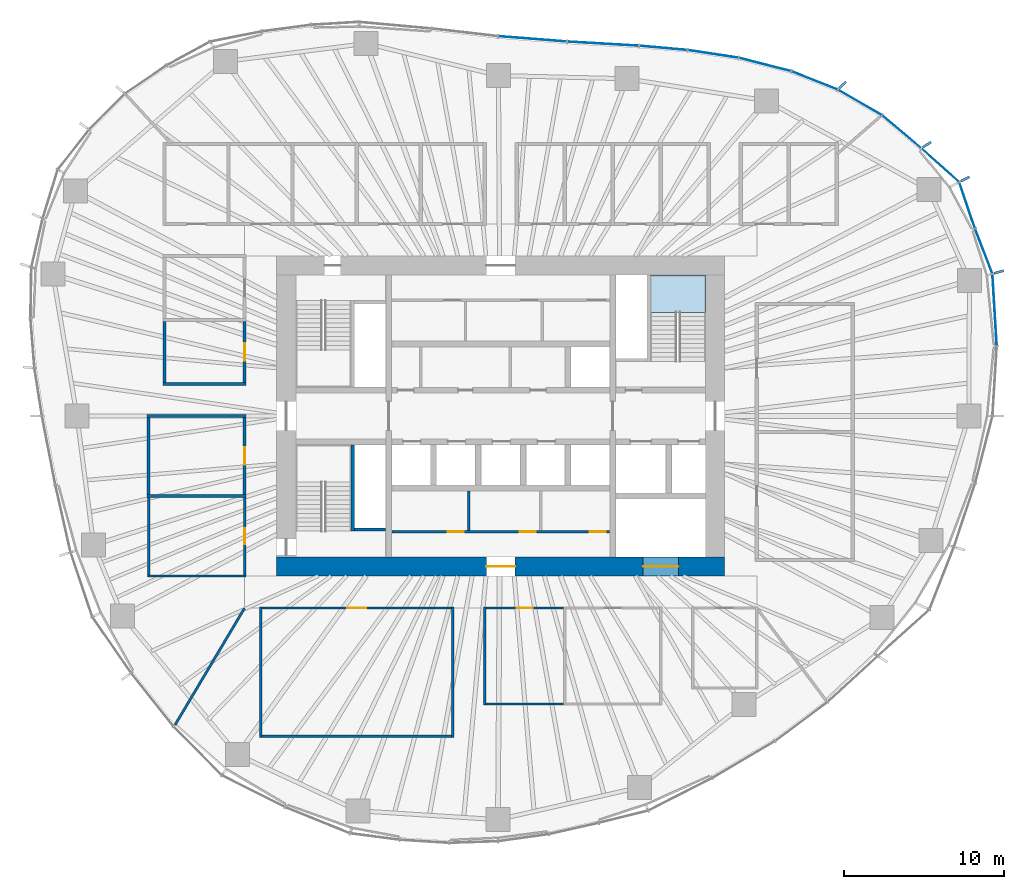
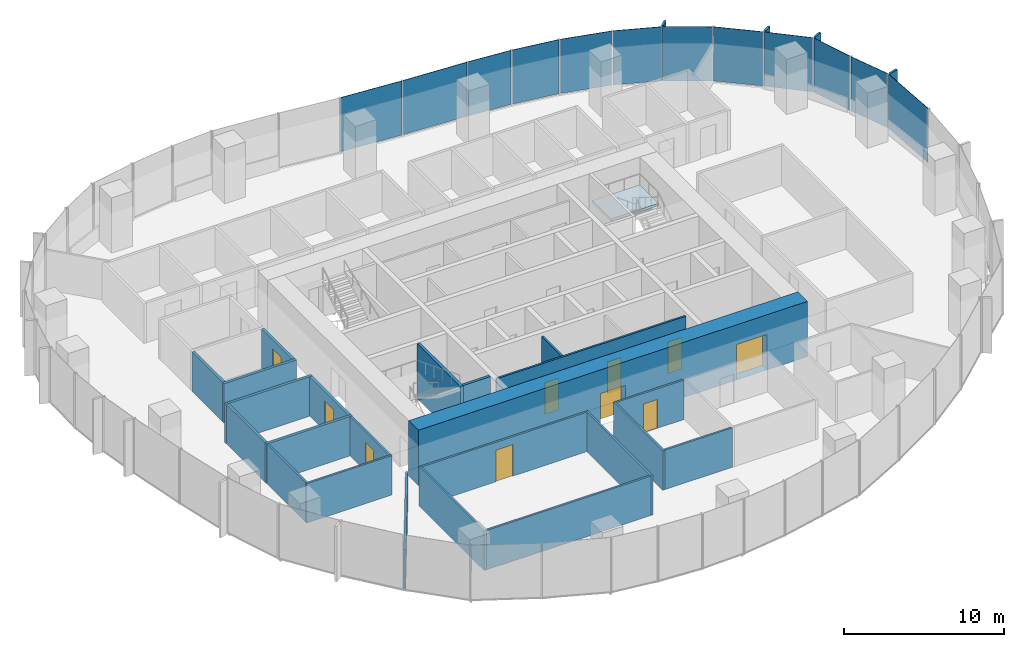
# One storey, part 8 of 18: 23 walls, 16 plates, 10 doors, 1 slab, 10 openings, 6 elements without a shape of their own.
"""IFC4 building model written with IfcOpenShell, lengths in metres."""

from ifc_helpers import new_model, si_unit, direction, frame, frame_2d, origin, origin_2d, place, context, subcontext, project, spatial, polyline, rectangle, outline, extrude, material, layer, layer_set, type_object, element, fill, aggregate, save


model = new_model("IFC4")

# Units and contexts
model_context = context("Model", 3, precision=1e-05, world=origin(), true_north=direction((0.0, 1.0)))
body_context = subcontext(model_context, "Body", "Model", "MODEL_VIEW")
ifc_project = project(units=[si_unit("LENGTHUNIT", "METRE"), si_unit("AREAUNIT", "SQUARE_METRE"), si_unit("VOLUMEUNIT", "CUBIC_METRE"), si_unit("PLANEANGLEUNIT", "RADIAN"), si_unit("MASSUNIT", "GRAM", prefix="KILO")], contexts=[model_context])

# Site, building, storey
site_placement = place(None, origin())
site = spatial("IfcSite", under=ifc_project, at=site_placement, CompositionType="ELEMENT")
building_placement = place(site_placement, origin())
building = spatial("IfcBuilding", under=site, at=building_placement, Name="Ghaith Harvest Tower", CompositionType="ELEMENT")
storey_placement = place(building_placement, frame((0.0, 0.0, 138.60009765625)))
storey = spatial("IfcBuildingStorey", under=building, at=storey_placement, Name="L29", CompositionType="ELEMENT", Elevation=138.60009765625)

# Curtain wall, plate
ifc_material_1 = material(Name="Black anodised aluminium and fritted glass", Category="aluminium")
curtain_wall_type = type_object("IfcCurtainWallType", Name="CW-L CURTAIN WALL", PredefinedType="NOTDEFINED", material=ifc_material_1)
curtain_wall_1_placement = place(storey_placement, origin())
curtain_wall_1 = element("IfcCurtainWall", 1, at=curtain_wall_1_placement, inside=storey, type_object=curtain_wall_type, Name="Curtain wall CW-L bay 01 L29", PredefinedType="NOTDEFINED")
ifc_material_2 = material(Name="Glass, dark solar-control fritted double glazed unit", Category="glass")
ifc_layer_1 = layer(ifc_material_2, 0.031982421875)
ifc_layer_set_1 = layer_set([ifc_layer_1], Name="CW-L VISION PANEL")
plate_type_1 = type_object("IfcPlateType", Name="CW-L VISION PANEL", PredefinedType="CURTAIN_PANEL", material=ifc_layer_set_1)
plate_1_placement = place(storey_placement, frame((30.863037109375, 6.63525390625, 0.079833984375), z_axis=(0.0, 0.0, 1.0), x_axis=(-0.060320650032, 0.998179051663, 0.0)))
plate_1 = element("IfcPlate", 2, at=plate_1_placement, type_object=plate_type_1, Name="CW-L glass unit 2 bay 01 L29", PredefinedType="CURTAIN_PANEL", context=body_context, shape_type="SweptSolid", body=[
    extrude(rectangle(XDim=4.419189453125, YDim=0.031982421875, at=origin_2d()), origin(), (0.0, 0.0, 1.0), 4.1201171875),
])
aggregate(curtain_wall_1, [plate_1])

# Curtain wall, plates
curtain_wall_2_placement = place(storey_placement, origin())
curtain_wall_2 = element("IfcCurtainWall", 3, at=curtain_wall_2_placement, inside=storey, type_object=curtain_wall_type, Name="Curtain wall CW-L bay 02 L29", PredefinedType="NOTDEFINED")
plate_2_placement = place(storey_placement, frame((30.180908203125, 10.29833984375, 0.079833984375), z_axis=(0.0, 0.0, 1.0), x_axis=(-0.359676824997, 0.933076943001, 0.0)))
plate_2 = element("IfcPlate", 4, at=plate_2_placement, type_object=plate_type_1, Name="CW-L glass unit 1 bay 02 L29", PredefinedType="CURTAIN_PANEL", context=body_context, shape_type="SweptSolid", body=[
    extrude(rectangle(XDim=2.95849609375, YDim=0.031982421875, at=origin_2d()), origin(), (0.0, 0.0, 1.0), 4.1201171875),
])
plate_3_placement = place(storey_placement, frame((29.142333984375, 13.163818359375, 0.079833984375), z_axis=(0.0, 0.0, 1.0), x_axis=(-0.321853304376, 0.946789549194, 0.0)))
plate_3 = element("IfcPlate", 5, at=plate_3_placement, type_object=plate_type_1, Name="CW-L glass unit 2 bay 02 L29", PredefinedType="CURTAIN_PANEL", context=body_context, shape_type="SweptSolid", body=[
    extrude(rectangle(XDim=2.978759765625, YDim=0.031982421875, at=origin_2d()), origin(), (0.0, 0.0, 1.0), 4.1201171875),
])
plate_4_placement = place(storey_placement, frame((27.46533203125, 15.668701171875, 0.079833984375), z_axis=(0.0, 0.0, 1.0), x_axis=(-0.746250544556, 0.665665174656, 0.0)))
plate_4 = element("IfcPlate", 6, at=plate_4_placement, type_object=plate_type_1, Name="CW-L glass unit 3 bay 02 L29", PredefinedType="CURTAIN_PANEL", context=body_context, shape_type="SweptSolid", body=[
    extrude(rectangle(XDim=3.094970703125, YDim=0.031982421875, at=origin_2d()), origin(), (0.0, 0.0, 1.0), 4.1201171875),
])
aggregate(curtain_wall_2, [plate_2, plate_3, plate_4])

curtain_wall_3_placement = place(storey_placement, origin())
curtain_wall_3 = element("IfcCurtainWall", 7, at=curtain_wall_3_placement, inside=storey, type_object=curtain_wall_type, Name="Curtain wall CW-L bay 03 L29", PredefinedType="NOTDEFINED")
plate_5_placement = place(storey_placement, frame((25.05126953125, 17.7587890625, 0.079833984375), z_axis=(0.0, 0.0, 1.0), x_axis=(-0.765473064857, 0.643467937801, 0.0)))
plate_5 = element("IfcPlate", 8, at=plate_5_placement, type_object=plate_type_1, Name="CW-L glass unit 1 bay 03 L29", PredefinedType="CURTAIN_PANEL", context=body_context, shape_type="SweptSolid", body=[
    extrude(rectangle(XDim=3.13232421875, YDim=0.031982421875, at=origin_2d()), origin(), (0.0, 0.0, 1.0), 4.1201171875),
])
plate_6_placement = place(storey_placement, frame((22.444091796875, 19.590576171875, 0.079833984375), z_axis=(0.0, 0.0, 1.0), x_axis=(-0.865232087993, 0.501371552751, 0.0)))
plate_6 = element("IfcPlate", 9, at=plate_6_placement, type_object=plate_type_1, Name="CW-L glass unit 2 bay 03 L29", PredefinedType="CURTAIN_PANEL", context=body_context, shape_type="SweptSolid", body=[
    extrude(rectangle(XDim=3.10498046875, YDim=0.031982421875, at=origin_2d()), origin(), (0.0, 0.0, 1.0), 4.1201171875),
])
plate_7_placement = place(storey_placement, frame((19.6142578125, 20.963623046875, 0.079833984375), z_axis=(0.0, 0.0, 1.0), x_axis=(-0.929876534019, 0.367871759558, 0.0)))
plate_7 = element("IfcPlate", 10, at=plate_7_placement, type_object=plate_type_1, Name="CW-L glass unit 3 bay 03 L29", PredefinedType="CURTAIN_PANEL", context=body_context, shape_type="SweptSolid", body=[
    extrude(rectangle(XDim=3.042724609375, YDim=0.031982421875, at=origin_2d()), origin(), (0.0, 0.0, 1.0), 4.1201171875),
])
aggregate(curtain_wall_3, [plate_5, plate_6, plate_7])

curtain_wall_4_placement = place(storey_placement, origin())
curtain_wall_4 = element("IfcCurtainWall", 11, at=curtain_wall_4_placement, inside=storey, type_object=curtain_wall_type, Name="Curtain wall CW-L bay 04 L29", PredefinedType="NOTDEFINED")
plate_8_placement = place(storey_placement, frame((16.513427734375, 21.958740234375, 0.079833984375), z_axis=(0.0, 0.0, 1.0), x_axis=(-0.96893110987, 0.247330758955, 0.0)))
plate_8 = element("IfcPlate", 12, at=plate_8_placement, type_object=plate_type_1, Name="CW-L glass unit 1 bay 04 L29", PredefinedType="CURTAIN_PANEL", context=body_context, shape_type="SweptSolid", body=[
    extrude(rectangle(XDim=3.3232421875, YDim=0.031982421875, at=origin_2d()), origin(), (0.0, 0.0, 1.0), 4.1201171875),
])
plate_9_placement = place(storey_placement, frame((13.2685546875, 22.621826171875, 0.079833984375), z_axis=(0.0, 0.0, 1.0), x_axis=(-0.988678736369, 0.150047846542, 0.0)))
plate_9 = element("IfcPlate", 13, at=plate_9_placement, type_object=plate_type_1, Name="CW-L glass unit 2 bay 04 L29", PredefinedType="CURTAIN_PANEL", context=body_context, shape_type="SweptSolid", body=[
    extrude(rectangle(XDim=3.14892578125, YDim=0.031982421875, at=origin_2d()), origin(), (0.0, 0.0, 1.0), 4.1201171875),
])
plate_10_placement = place(storey_placement, frame((10.15966796875, 22.9970703125, 0.079833984375), z_axis=(0.0, 0.0, 1.0), x_axis=(-0.996166190972, 0.087480969151, 0.0)))
plate_10 = element("IfcPlate", 14, at=plate_10_placement, type_object=plate_type_1, Name="CW-L glass unit 3 bay 04 L29", PredefinedType="CURTAIN_PANEL", context=body_context, shape_type="SweptSolid", body=[
    extrude(rectangle(XDim=2.957275390625, YDim=0.031982421875, at=origin_2d()), origin(), (0.0, 0.0, 1.0), 4.1201171875),
])
aggregate(curtain_wall_4, [plate_8, plate_9, plate_10])

curtain_wall_5_placement = place(storey_placement, origin())
curtain_wall_5 = element("IfcCurtainWall", 15, at=curtain_wall_5_placement, inside=storey, type_object=curtain_wall_type, Name="Curtain wall CW-L bay 05 L29", PredefinedType="NOTDEFINED")
plate_11_placement = place(storey_placement, frame((6.396728515625, 23.260498046875, 0.079833984375), z_axis=(0.0, 0.0, 1.0), x_axis=(-0.998320798751, 0.05792739233, 0.0)))
plate_11 = element("IfcPlate", 16, at=plate_11_placement, type_object=plate_type_1, Name="CW-L glass unit 1 bay 05 L29", PredefinedType="CURTAIN_PANEL", context=body_context, shape_type="SweptSolid", body=[
    extrude(rectangle(XDim=4.427734375, YDim=0.031982421875, at=origin_2d()), origin(), (0.0, 0.0, 1.0), 4.1201171875),
])
plate_12_placement = place(storey_placement, frame((1.9921875, 23.560302734375, 0.079833984375), z_axis=(0.0, 0.0, 1.0), x_axis=(-0.996925121312, 0.078360082291, 0.0)))
plate_12 = element("IfcPlate", 17, at=plate_12_placement, type_object=plate_type_1, Name="CW-L glass unit 2 bay 05 L29", PredefinedType="CURTAIN_PANEL", context=body_context, shape_type="SweptSolid", body=[
    extrude(rectangle(XDim=4.242431640625, YDim=0.031982421875, at=origin_2d()), origin(), (0.0, 0.0, 1.0), 4.1201171875),
])
aggregate(curtain_wall_5, [plate_11, plate_12])

# Stair, slab
ifc_material_3 = material(Name="Concrete C40/50, precast", Category="concrete")
stair_type = type_object("IfcStairType", Name="CORE STAIR 24R", PredefinedType="HALF_TURN_STAIR", material=ifc_material_3)
stair_placement = place(storey_placement, origin())
stair = element("IfcStair", 18, at=stair_placement, inside=storey, type_object=stair_type, Name="Stair ST2 L29", PredefinedType="HALF_TURN_STAIR")
ifc_material_4 = material(Name="Concrete C40/50, precast", Category="concrete")
ifc_layer_2 = layer(ifc_material_4, 0.179931640625)
ifc_layer_set_2 = layer_set([ifc_layer_2], Name="STAIR LANDING 180")
slab_type = type_object("IfcSlabType", Name="STAIR LANDING 180", PredefinedType="LANDING", material=ifc_layer_set_2)
slab_placement = place(storey_placement, frame((0.0, 0.0, 1.919921875)))
slab = element("IfcSlab", 19, at=slab_placement, type_object=slab_type, Name="ST2 landing 1", PredefinedType="LANDING", context=body_context, shape_type="SweptSolid", body=[
    extrude(outline(polyline([(12.800048828125, 6.4599609375), (12.800048828125, 8.800048828125), (9.35009765625, 8.800048828125), (9.35009765625, 6.4599609375), (12.800048828125, 6.4599609375)])), origin(), (0.0, 0.0, 1.0), 0.179931640625),
])
aggregate(stair, [slab])

# Plates
ifc_material_5 = material(Name="Glassfibre-reinforced concrete", Category="concrete")
ifc_layer_3 = layer(ifc_material_5, 0.14990234375)
ifc_layer_set_3 = layer_set([ifc_layer_3], Name="SUN-BREAKER FIN 600x150")
plate_type_2 = type_object("IfcPlateType", Name="SUN-BREAKER FIN 600x150", PredefinedType="USERDEFINED", material=ifc_layer_set_3)
for number, where, z_axis, x_axis, name in (
    (20, (31.130859375, 8.99755859375, 0.0), (0.0, 0.0, 1.0), (0.960680349985, 0.277656739792, 0.0), "Sun-breaker fin CW-L 1 bay 02 L29"),
    (21, (29.024169921875, 14.802734375, 0.0), (0.0, 0.0, 1.0), (0.890830752257, 0.454335306611, 0.0), "Sun-breaker fin CW-L 3 bay 02 L29"),
    (22, (26.635009765625, 16.95068359375, 0.0), (0.0, 0.0, 1.0), (0.843643971464, 0.536903016766, 0.0), "Sun-breaker fin CW-L 1 bay 03 L29"),
    (23, (21.367919921875, 20.68115234375, 0.0), (0.0, 0.0, 1.0), (0.7185589652, 0.69546604053, 0.0), "Sun-breaker fin CW-L 3 bay 03 L29"),
):
    element("IfcPlate", number, at=place(storey_placement, frame(where, z_axis=z_axis, x_axis=x_axis)), inside=storey, type_object=plate_type_2, Name=name, ObjectType="SUN-BREAKER FIN", PredefinedType="USERDEFINED", context=body_context, shape_type="SweptSolid", body=[
        extrude(rectangle(XDim=0.60009765625, YDim=0.14990234375, at=origin_2d()), origin(), (0.0, 0.0, 1.0), 4.199951171875),
    ])

# Walls
ifc_material_6 = material(Name="Twin-stud gypsum board, acoustic", Category="gypsum")
ifc_layer_4 = layer(ifc_material_6, 0.199951171875)
ifc_layer_set_4 = layer_set([ifc_layer_4], Name="ACOUSTIC PARTITION 200")
wall_type_1 = type_object("IfcWallType", Name="ACOUSTIC PARTITION 200", PredefinedType="PARTITIONING", material=ifc_layer_set_4)
for number, where, z_axis, x_axis, name in (
    (24, (-15.89990234375, -5.0, 0.0), (0.0, 0.0, 1.0), (-1.0, 0.0, 0.0), "Partition L29 row W6 cross wall 2"),
    (25, (-15.89990234375, 0.0, 0.0), (0.0, 0.0, 1.0), (-1.0, 0.0, 0.0), "Partition L29 row W6 cross wall 3"),
):
    element("IfcWall", number, at=place(storey_placement, frame(where, z_axis=z_axis, x_axis=x_axis)), inside=storey, type_object=wall_type_1, Name=name, PredefinedType="PARTITIONING", context=body_context, shape_type="SweptSolid", body=[
        extrude(rectangle(XDim=6.2001953125, YDim=0.199951171875, at=frame_2d((3.10009765625, 0.0))), origin(), (0.0, 0.0, 1.0), 3.0),
    ])

# Wall, opening, door
wall_1_placement = place(storey_placement, frame((-16.0, -4.89990234375, 0.0), z_axis=(0.0, 0.0, 1.0), x_axis=(0.0, 1.0, 0.0)))
wall_1 = element("IfcWall", 26, at=wall_1_placement, inside=storey, type_object=wall_type_1, Name="Partition L29-16", PredefinedType="PARTITIONING", context=body_context, shape_type="SweptSolid", body=[
    extrude(rectangle(XDim=4.7998046875, YDim=0.199951171875, at=frame_2d((2.39990234375, 0.0))), origin(), (0.0, 0.0, 1.0), 3.0),
])
opening_1_placement = place(wall_1_placement, frame((1.85009765625, 0.0, 0.0)))
opening_1 = element("IfcOpeningElement", 27, at=opening_1_placement, cuts=wall_1, Name="Opening 29-041", PredefinedType="OPENING", context=body_context, shape_type="SweptSolid", body=[
    extrude(rectangle(XDim=1.10009765625, YDim=2.300048828125, at=frame_2d((0.550048828125, 1.14990234375))), frame((0.0, 0.10986328125, 0.0), z_axis=(0.0, -1.0, 0.0), x_axis=(1.0, 0.0, 0.0)), (0.0, 0.0, 1.0), 0.219970703125),
])
ifc_material_7 = material(Name="Timber-framed glazed door", Category="wood")
door_type_1 = type_object("IfcDoorType", Name="D12 GLAZED OFFICE 1100x2300", OperationType="SINGLE_SWING_LEFT", PredefinedType="DOOR", material=ifc_material_7)
door_1_placement = place(opening_1_placement, origin())
door_1 = element("IfcDoor", 28, at=door_1_placement, inside=storey, type_object=door_type_1, Name="Quiet room door", OperationType="SINGLE_SWING_LEFT", OverallHeight=2.300048828125, OverallWidth=1.10009765625, PredefinedType="DOOR", context=body_context, shape_type="SweptSolid", body=[
    extrude(rectangle(XDim=1.10009765625, YDim=2.300048828125, at=frame_2d((0.550048828125, 1.14990234375))), frame((0.0, 0.02490234375, 0.0), z_axis=(0.0, -1.0, 0.0), x_axis=(1.0, 0.0, 0.0)), (0.0, 0.0, 1.0), 0.050048828125),
])
fill(opening_1, door_1)

# Walls
wall_2_placement = place(storey_placement, frame((-22.0, -4.89990234375, 0.0), z_axis=(0.0, 0.0, 1.0), x_axis=(0.0, 1.0, 0.0)))
element("IfcWall", 29, at=wall_2_placement, inside=storey, type_object=wall_type_1, Name="Partition L29-16", PredefinedType="PARTITIONING", context=body_context, shape_type="SweptSolid", body=[
    extrude(rectangle(XDim=4.7998046875, YDim=0.199951171875, at=frame_2d((2.39990234375, 0.0))), origin(), (0.0, 0.0, 1.0), 3.0),
])
wall_3_placement = place(storey_placement, frame((-15.89990234375, 2.0, 0.0), z_axis=(0.0, 0.0, 1.0), x_axis=(-1.0, 0.0, 0.0)))
element("IfcWall", 30, at=wall_3_placement, inside=storey, type_object=wall_type_1, Name="Partition L29 row W9 cross wall 1", PredefinedType="PARTITIONING", context=body_context, shape_type="SweptSolid", body=[
    extrude(rectangle(XDim=5.2001953125, YDim=0.199951171875, at=frame_2d((2.60009765625, 0.0))), origin(), (0.0, 0.0, 1.0), 3.0),
])

# Wall, opening, door
wall_4_placement = place(storey_placement, frame((-16.0, 2.10009765625, 0.0), z_axis=(0.0, 0.0, 1.0), x_axis=(0.0, 1.0, 0.0)))
wall_4 = element("IfcWall", 31, at=wall_4_placement, inside=storey, type_object=wall_type_1, Name="Partition L29-20", PredefinedType="PARTITIONING", context=body_context, shape_type="SweptSolid", body=[
    extrude(rectangle(XDim=3.7998046875, YDim=0.199951171875, at=frame_2d((1.89990234375, 0.0))), origin(), (0.0, 0.0, 1.0), 3.0),
])
opening_2_placement = place(wall_4_placement, frame((1.35009765625, 0.0, 0.0)))
opening_2 = element("IfcOpeningElement", 32, at=opening_2_placement, cuts=wall_4, Name="Opening 29-045", PredefinedType="OPENING", context=body_context, shape_type="SweptSolid", body=[
    extrude(rectangle(XDim=1.10009765625, YDim=2.300048828125, at=frame_2d((0.550048828125, 1.14990234375))), frame((0.0, 0.10986328125, 0.0), z_axis=(0.0, -1.0, 0.0), x_axis=(1.0, 0.0, 0.0)), (0.0, 0.0, 1.0), 0.219970703125),
])
door_2_placement = place(opening_2_placement, origin())
door_2 = element("IfcDoor", 33, at=door_2_placement, inside=storey, type_object=door_type_1, Name="Focus room door", OperationType="SINGLE_SWING_LEFT", OverallHeight=2.300048828125, OverallWidth=1.10009765625, PredefinedType="DOOR", context=body_context, shape_type="SweptSolid", body=[
    extrude(rectangle(XDim=1.10009765625, YDim=2.300048828125, at=frame_2d((0.550048828125, 1.14990234375))), frame((0.0, 0.02490234375, 0.0), z_axis=(0.0, -1.0, 0.0), x_axis=(1.0, 0.0, 0.0)), (0.0, 0.0, 1.0), 0.050048828125),
])
fill(opening_2, door_2)

# Wall
wall_5_placement = place(storey_placement, frame((-21.0, 2.10009765625, 0.0), z_axis=(0.0, 0.0, 1.0), x_axis=(0.0, 1.0, 0.0)))
element("IfcWall", 34, at=wall_5_placement, inside=storey, type_object=wall_type_1, Name="Partition L29-20", PredefinedType="PARTITIONING", context=body_context, shape_type="SweptSolid", body=[
    extrude(rectangle(XDim=3.7998046875, YDim=0.199951171875, at=frame_2d((1.89990234375, 0.0))), origin(), (0.0, 0.0, 1.0), 3.0),
])

# Wall, openings, doors
ifc_material_8 = material(Name="Concrete blockwork, fair-faced", Category="masonry")
ifc_layer_5 = layer(ifc_material_8, 0.139892578125)
ifc_layer_set_5 = layer_set([ifc_layer_5], Name="CORE PARTITION 140")
wall_type_2 = type_object("IfcWallType", Name="CORE PARTITION 140", PredefinedType="PARTITIONING", material=ifc_layer_set_5)
wall_6_placement = place(storey_placement, frame((-6.800048828125, -7.22998046875, 0.0), z_axis=(0.0, 0.0, 1.0), x_axis=(1.0, 0.0, 0.0)))
wall_6 = element("IfcWall", 35, at=wall_6_placement, inside=storey, type_object=wall_type_2, Name="Core partition L29", PredefinedType="PARTITIONING", context=body_context, shape_type="SweptSolid", body=[
    extrude(rectangle(XDim=13.60009765625, YDim=0.139892578125, at=frame_2d((6.800048828125, 0.0))), origin(), (0.0, 0.0, 1.0), 3.949951171875),
])
opening_3_placement = place(wall_6_placement, frame((3.47998046875, 0.0, 0.0)))
opening_3 = element("IfcOpeningElement", 36, at=opening_3_placement, cuts=wall_6, Name="Opening 29-011", PredefinedType="OPENING", context=body_context, shape_type="SweptSolid", body=[
    extrude(rectangle(XDim=1.0, YDim=2.39990234375, at=frame_2d((0.5, 1.199951171875))), frame((0.0, 0.080078125, 0.0), z_axis=(0.0, -1.0, 0.0), x_axis=(1.0, 0.0, 0.0)), (0.0, 0.0, 1.0), 0.159912109375),
])
opening_4_placement = place(wall_6_placement, frame((7.97998046875, 0.0, 0.0)))
opening_4 = element("IfcOpeningElement", 37, at=opening_4_placement, cuts=wall_6, Name="Opening 29-012", PredefinedType="OPENING", context=body_context, shape_type="SweptSolid", body=[
    extrude(rectangle(XDim=1.0, YDim=2.39990234375, at=frame_2d((0.5, 1.199951171875))), frame((0.0, 0.080078125, 0.0), z_axis=(0.0, -1.0, 0.0), x_axis=(1.0, 0.0, 0.0)), (0.0, 0.0, 1.0), 0.159912109375),
])
opening_5_placement = place(wall_6_placement, frame((12.35009765625, 0.0, 0.0)))
opening_5 = element("IfcOpeningElement", 38, at=opening_5_placement, cuts=wall_6, Name="Opening 29-013", PredefinedType="OPENING", context=body_context, shape_type="SweptSolid", body=[
    extrude(rectangle(XDim=1.0, YDim=2.39990234375, at=frame_2d((0.5, 1.199951171875))), frame((0.0, 0.080078125, 0.0), z_axis=(0.0, -1.0, 0.0), x_axis=(1.0, 0.0, 0.0)), (0.0, 0.0, 1.0), 0.159912109375),
])
ifc_material_9 = material(Name="Steel fire door", Category="steel")
door_type_2 = type_object("IfcDoorType", Name="D3 FD90 1000x2400", OperationType="SINGLE_SWING_LEFT", PredefinedType="DOOR", material=ifc_material_9)
door_3_placement = place(opening_3_placement, origin())
door_3 = element("IfcDoor", 39, at=door_3_placement, inside=storey, type_object=door_type_2, Name="Electrical room door", OperationType="SINGLE_SWING_LEFT", OverallHeight=2.39990234375, OverallWidth=1.0, PredefinedType="DOOR", context=body_context, shape_type="SweptSolid", body=[
    extrude(rectangle(XDim=1.0, YDim=2.39990234375, at=frame_2d((0.5, 1.199951171875))), frame((0.0, 0.02490234375, 0.0), z_axis=(0.0, -1.0, 0.0), x_axis=(1.0, 0.0, 0.0)), (0.0, 0.0, 1.0), 0.050048828125),
])
fill(opening_3, door_3)
door_4_placement = place(opening_4_placement, origin())
door_4 = element("IfcDoor", 40, at=door_4_placement, inside=storey, type_object=door_type_2, Name="Communications equipment room door", OperationType="SINGLE_SWING_RIGHT", OverallHeight=2.39990234375, OverallWidth=1.0, PredefinedType="DOOR", context=body_context, shape_type="SweptSolid", body=[
    extrude(rectangle(XDim=1.0, YDim=2.39990234375, at=frame_2d((0.5, 1.199951171875))), frame((0.0, 0.02490234375, 0.0), z_axis=(0.0, -1.0, 0.0), x_axis=(1.0, 0.0, 0.0)), (0.0, 0.0, 1.0), 0.050048828125),
])
fill(opening_4, door_4)
door_5_placement = place(opening_5_placement, origin())
door_5 = element("IfcDoor", 41, at=door_5_placement, inside=storey, type_object=door_type_2, Name="Riser room door", OperationType="SINGLE_SWING_RIGHT", OverallHeight=2.39990234375, OverallWidth=1.0, PredefinedType="DOOR", context=body_context, shape_type="SweptSolid", body=[
    extrude(rectangle(XDim=1.0, YDim=2.39990234375, at=frame_2d((0.5, 1.199951171875))), frame((0.0, 0.02490234375, 0.0), z_axis=(0.0, -1.0, 0.0), x_axis=(1.0, 0.0, 0.0)), (0.0, 0.0, 1.0), 0.050048828125),
])
fill(opening_5, door_5)

# Wall
wall_7_placement = place(storey_placement, frame((-2.0, -4.699951171875, 0.0), z_axis=(0.0, 0.0, 1.0), x_axis=(0.0, -1.0, 0.0)))
element("IfcWall", 42, at=wall_7_placement, inside=storey, type_object=wall_type_2, Name="Core partition L29", PredefinedType="PARTITIONING", context=body_context, shape_type="SweptSolid", body=[
    extrude(rectangle(XDim=2.4599609375, YDim=0.139892578125, at=frame_2d((1.22998046875, 0.0))), origin(), (0.0, 0.0, 1.0), 3.949951171875),
])

# Wall, openings, doors
ifc_material_10 = material(Name="Concrete C60/75", Category="concrete")
ifc_layer_6 = layer(ifc_material_10, 1.199951171875)
ifc_layer_set_6 = layer_set([ifc_layer_6], Name="CORE WALL CW1200 C60")
wall_type_3 = type_object("IfcWallType", Name="CORE WALL CW1200 C60", PredefinedType="SHEAR", material=ifc_layer_set_6)
wall_8_placement = place(storey_placement, frame((-14.0, -9.39990234375, 0.0), z_axis=(0.0, 0.0, 1.0), x_axis=(1.0, 0.0, 0.0)))
wall_8 = element("IfcWall", 43, at=wall_8_placement, inside=storey, type_object=wall_type_3, Name="Core wall S L29", PredefinedType="SHEAR", context=body_context, shape_type="SweptSolid", body=[
    extrude(rectangle(XDim=28.0, YDim=1.199951171875, at=frame_2d((14.0, 0.0))), origin(), (0.0, 0.0, 1.0), 4.199951171875),
])
opening_6_placement = place(wall_8_placement, frame((13.10009765625, 0.0, 0.0)))
opening_6 = element("IfcOpeningElement", 44, at=opening_6_placement, cuts=wall_8, Name="Opening 29-018", PredefinedType="OPENING", context=body_context, shape_type="SweptSolid", body=[
    extrude(rectangle(XDim=1.800048828125, YDim=2.39990234375, at=frame_2d((0.89990234375, 1.199951171875))), frame((0.0, 0.60986328125, 0.0), z_axis=(0.0, -1.0, 0.0), x_axis=(1.0, 0.0, 0.0)), (0.0, 0.0, 1.0), 1.219970703125),
])
opening_7_placement = place(wall_8_placement, frame((22.89990234375, 0.0, 0.0)))
opening_7 = element("IfcOpeningElement", 45, at=opening_7_placement, cuts=wall_8, Name="Opening 29-025", PredefinedType="OPENING", context=body_context, shape_type="SweptSolid", body=[
    extrude(rectangle(XDim=2.199951171875, YDim=2.699951171875, at=frame_2d((1.10009765625, 1.35009765625))), frame((0.0, 0.60986328125, 0.0), z_axis=(0.0, -1.0, 0.0), x_axis=(1.0, 0.0, 0.0)), (0.0, 0.0, 1.0), 1.219970703125),
])
ifc_material_11 = material(Name="Steel fire door", Category="steel")
door_type_3 = type_object("IfcDoorType", Name="D4 FD90 PAIR 1800x2400", OperationType="DOUBLE_DOOR_SINGLE_SWING", PredefinedType="DOOR", material=ifc_material_11)
door_6_placement = place(opening_6_placement, origin())
door_6 = element("IfcDoor", 46, at=door_6_placement, inside=storey, type_object=door_type_3, Name="Core service corridor doors", OperationType="DOUBLE_DOOR_SINGLE_SWING", OverallHeight=2.39990234375, OverallWidth=1.800048828125, PredefinedType="DOOR", context=body_context, shape_type="SweptSolid", body=[
    extrude(rectangle(XDim=1.800048828125, YDim=2.39990234375, at=frame_2d((0.89990234375, 1.199951171875))), frame((0.0, 0.02490234375, 0.0), z_axis=(0.0, -1.0, 0.0), x_axis=(1.0, 0.0, 0.0)), (0.0, 0.0, 1.0), 0.050048828125),
])
fill(opening_6, door_6)
ifc_material_12 = material(Name="Steel fire door", Category="steel")
door_type_4 = type_object("IfcDoorType", Name="LD3 LANDING 2200x2700", OperationType="DOUBLE_DOOR_SLIDING", PredefinedType="DOOR", material=ifc_material_12)
door_7_placement = place(opening_7_placement, origin())
door_7 = element("IfcDoor", 47, at=door_7_placement, inside=storey, type_object=door_type_4, Name="Landing door, goods lift GL1", OperationType="DOUBLE_DOOR_SLIDING", OverallHeight=2.699951171875, OverallWidth=2.199951171875, PredefinedType="DOOR", context=body_context, shape_type="SweptSolid", body=[
    extrude(rectangle(XDim=2.199951171875, YDim=2.699951171875, at=frame_2d((1.10009765625, 1.35009765625))), frame((0.0, 0.02490234375, 0.0), z_axis=(0.0, -1.0, 0.0), x_axis=(1.0, 0.0, 0.0)), (0.0, 0.0, 1.0), 0.050048828125),
])
fill(opening_7, door_7)

# Walls
ifc_material_13 = material(Name="Gypsum board on steel studs", Category="steel")
ifc_layer_7 = layer(ifc_material_13, 0.14990234375)
ifc_layer_set_7 = layer_set([ifc_layer_7], Name="PARTITION 150")
wall_type_4 = type_object("IfcWallType", Name="PARTITION 150", PredefinedType="PARTITIONING", material=ifc_layer_set_7)
for number, where, z_axis, x_axis, name in (
    (48, (-15.0, -11.925048828125, 0.0), (0.0, 0.0, 1.0), (0.0, -1.0, 0.0), "Partition L29 row S1 cross wall 1"),
    (49, (-3.0, -11.925048828125, 0.0), (0.0, 0.0, 1.0), (0.0, -1.0, 0.0), "Partition L29 row S1 cross wall 2"),
):
    element("IfcWall", number, at=place(storey_placement, frame(where, z_axis=z_axis, x_axis=x_axis)), inside=storey, type_object=wall_type_4, Name=name, PredefinedType="PARTITIONING", context=body_context, shape_type="SweptSolid", body=[
        extrude(rectangle(XDim=8.14990234375, YDim=0.14990234375, at=frame_2d((4.074951171875, 0.0))), origin(), (0.0, 0.0, 1.0), 3.0),
    ])

# Wall, opening, door
wall_9_placement = place(storey_placement, frame((-14.925048828125, -12.0, 0.0), z_axis=(0.0, 0.0, 1.0), x_axis=(1.0, 0.0, 0.0)))
wall_9 = element("IfcWall", 50, at=wall_9_placement, inside=storey, type_object=wall_type_4, Name="Partition L29-01", PredefinedType="PARTITIONING", context=body_context, shape_type="SweptSolid", body=[
    extrude(rectangle(XDim=11.85009765625, YDim=0.14990234375, at=frame_2d((5.925048828125, 0.0))), origin(), (0.0, 0.0, 1.0), 3.0),
])
opening_8_placement = place(wall_9_placement, frame((5.324951171875, 0.0, 0.0)))
opening_8 = element("IfcOpeningElement", 51, at=opening_8_placement, cuts=wall_9, Name="Opening 29-026", PredefinedType="OPENING", context=body_context, shape_type="SweptSolid", body=[
    extrude(rectangle(XDim=1.199951171875, YDim=2.39990234375, at=frame_2d((0.60009765625, 1.199951171875))), frame((0.0, 0.0849609375, 0.0), z_axis=(0.0, -1.0, 0.0), x_axis=(1.0, 0.0, 0.0)), (0.0, 0.0, 1.0), 0.169921875),
])
ifc_material_14 = material(Name="Timber door", Category="wood")
door_type_5 = type_object("IfcDoorType", Name="D11 GLAZED 1200x2400", OperationType="SINGLE_SWING_LEFT", PredefinedType="DOOR", material=ifc_material_14)
door_8_placement = place(opening_8_placement, origin())
door_8 = element("IfcDoor", 52, at=door_8_placement, inside=storey, type_object=door_type_5, Name="Prototyping studio door", OperationType="SINGLE_SWING_LEFT", OverallHeight=2.39990234375, OverallWidth=1.199951171875, PredefinedType="DOOR", context=body_context, shape_type="SweptSolid", body=[
    extrude(rectangle(XDim=1.199951171875, YDim=2.39990234375, at=frame_2d((0.60009765625, 1.199951171875))), frame((0.0, 0.02490234375, 0.0), z_axis=(0.0, -1.0, 0.0), x_axis=(1.0, 0.0, 0.0)), (0.0, 0.0, 1.0), 0.050048828125),
])
fill(opening_8, door_8)

# Walls
wall_10_placement = place(storey_placement, frame((-14.925048828125, -20.0, 0.0), z_axis=(0.0, 0.0, 1.0), x_axis=(1.0, 0.0, 0.0)))
element("IfcWall", 53, at=wall_10_placement, inside=storey, type_object=wall_type_4, Name="Partition L29-01", PredefinedType="PARTITIONING", context=body_context, shape_type="SweptSolid", body=[
    extrude(rectangle(XDim=11.85009765625, YDim=0.14990234375, at=frame_2d((5.925048828125, 0.0))), origin(), (0.0, 0.0, 1.0), 3.0),
])
wall_11_placement = place(storey_placement, frame((-1.0, -11.925048828125, 0.0), z_axis=(0.0, 0.0, 1.0), x_axis=(0.0, -1.0, 0.0)))
element("IfcWall", 54, at=wall_11_placement, inside=storey, type_object=wall_type_4, Name="Partition L29 row S2 cross wall 1", PredefinedType="PARTITIONING", context=body_context, shape_type="SweptSolid", body=[
    extrude(rectangle(XDim=6.14990234375, YDim=0.14990234375, at=frame_2d((3.074951171875, 0.0))), origin(), (0.0, 0.0, 1.0), 3.0),
])

# Wall, opening, door
wall_12_placement = place(storey_placement, frame((-0.925048828125, -12.0, 0.0), z_axis=(0.0, 0.0, 1.0), x_axis=(1.0, 0.0, 0.0)))
wall_12 = element("IfcWall", 55, at=wall_12_placement, inside=storey, type_object=wall_type_4, Name="Partition L29-02", PredefinedType="PARTITIONING", context=body_context, shape_type="SweptSolid", body=[
    extrude(rectangle(XDim=4.85009765625, YDim=0.14990234375, at=frame_2d((2.425048828125, 0.0))), origin(), (0.0, 0.0, 1.0), 3.0),
])
opening_9_placement = place(wall_12_placement, frame((1.925048828125, 0.0, 0.0)))
opening_9 = element("IfcOpeningElement", 56, at=opening_9_placement, cuts=wall_12, Name="Opening 29-027", PredefinedType="OPENING", context=body_context, shape_type="SweptSolid", body=[
    extrude(rectangle(XDim=1.0, YDim=2.199951171875, at=frame_2d((0.5, 1.10009765625))), frame((0.0, 0.0849609375, 0.0), z_axis=(0.0, -1.0, 0.0), x_axis=(1.0, 0.0, 0.0)), (0.0, 0.0, 1.0), 0.169921875),
])
ifc_material_15 = material(Name="Timber door", Category="wood")
door_type_6 = type_object("IfcDoorType", Name="D1 SINGLE 1000x2200", OperationType="SINGLE_SWING_LEFT", PredefinedType="DOOR", material=ifc_material_15)
door_9_placement = place(opening_9_placement, origin())
door_9 = element("IfcDoor", 57, at=door_9_placement, inside=storey, type_object=door_type_6, Name="Store door", OperationType="SINGLE_SWING_LEFT", OverallHeight=2.199951171875, OverallWidth=1.0, PredefinedType="DOOR", context=body_context, shape_type="SweptSolid", body=[
    extrude(rectangle(XDim=1.0, YDim=2.199951171875, at=frame_2d((0.5, 1.10009765625))), frame((0.0, 0.02490234375, 0.0), z_axis=(0.0, -1.0, 0.0), x_axis=(1.0, 0.0, 0.0)), (0.0, 0.0, 1.0), 0.050048828125),
])
fill(opening_9, door_9)

# Walls
wall_13_placement = place(storey_placement, frame((-0.925048828125, -18.0, 0.0), z_axis=(0.0, 0.0, 1.0), x_axis=(1.0, 0.0, 0.0)))
element("IfcWall", 58, at=wall_13_placement, inside=storey, type_object=wall_type_4, Name="Partition L29-02", PredefinedType="PARTITIONING", context=body_context, shape_type="SweptSolid", body=[
    extrude(rectangle(XDim=4.85009765625, YDim=0.14990234375, at=frame_2d((2.425048828125, 0.0))), origin(), (0.0, 0.0, 1.0), 3.0),
])
wall_14_placement = place(storey_placement, frame((-15.925048828125, -10.0, 0.0), z_axis=(0.0, 0.0, 1.0), x_axis=(-1.0, 0.0, 0.0)))
element("IfcWall", 59, at=wall_14_placement, inside=storey, type_object=wall_type_4, Name="Partition L29 row W6 cross wall 1", PredefinedType="PARTITIONING", context=body_context, shape_type="SweptSolid", body=[
    extrude(rectangle(XDim=6.14990234375, YDim=0.14990234375, at=frame_2d((3.074951171875, 0.0))), origin(), (0.0, 0.0, 1.0), 3.0),
])

# Wall, opening, door
wall_15_placement = place(storey_placement, frame((-16.0, -9.925048828125, 0.0), z_axis=(0.0, 0.0, 1.0), x_axis=(0.0, 1.0, 0.0)))
wall_15 = element("IfcWall", 60, at=wall_15_placement, inside=storey, type_object=wall_type_4, Name="Partition L29-15", PredefinedType="PARTITIONING", context=body_context, shape_type="SweptSolid", body=[
    extrude(rectangle(XDim=4.824951171875, YDim=0.14990234375, at=frame_2d((2.41259765625, 0.0))), origin(), (0.0, 0.0, 1.0), 3.0),
])
opening_10_placement = place(wall_15_placement, frame((1.91259765625, 0.0, 0.0)))
opening_10 = element("IfcOpeningElement", 61, at=opening_10_placement, cuts=wall_15, Name="Opening 29-040", PredefinedType="OPENING", context=body_context, shape_type="SweptSolid", body=[
    extrude(rectangle(XDim=1.0, YDim=2.199951171875, at=frame_2d((0.5, 1.10009765625))), frame((0.0, 0.0849609375, 0.0), z_axis=(0.0, -1.0, 0.0), x_axis=(1.0, 0.0, 0.0)), (0.0, 0.0, 1.0), 0.169921875),
])
door_10_placement = place(opening_10_placement, origin())
door_10 = element("IfcDoor", 62, at=door_10_placement, inside=storey, type_object=door_type_6, Name="Print room door", OperationType="SINGLE_SWING_LEFT", OverallHeight=2.199951171875, OverallWidth=1.0, PredefinedType="DOOR", context=body_context, shape_type="SweptSolid", body=[
    extrude(rectangle(XDim=1.0, YDim=2.199951171875, at=frame_2d((0.5, 1.10009765625))), frame((0.0, 0.02490234375, 0.0), z_axis=(0.0, -1.0, 0.0), x_axis=(1.0, 0.0, 0.0)), (0.0, 0.0, 1.0), 0.050048828125),
])
fill(opening_10, door_10)

# Walls
wall_16_placement = place(storey_placement, frame((-22.0, -9.925048828125, 0.0), z_axis=(0.0, 0.0, 1.0), x_axis=(0.0, 1.0, 0.0)))
element("IfcWall", 63, at=wall_16_placement, inside=storey, type_object=wall_type_4, Name="Partition L29-15", PredefinedType="PARTITIONING", context=body_context, shape_type="SweptSolid", body=[
    extrude(rectangle(XDim=4.824951171875, YDim=0.14990234375, at=frame_2d((2.41259765625, 0.0))), origin(), (0.0, 0.0, 1.0), 3.0),
])
wall_17_placement = place(storey_placement, frame((-16.01025390625, -12.01708984375, 0.0), z_axis=(0.0, 0.0, 1.0), x_axis=(-0.511508688443, -0.85927810495, 0.0)))
element("IfcWall", 64, at=wall_17_placement, inside=storey, type_object=wall_type_4, Name="Partition L29 zone division", PredefinedType="PARTITIONING", context=body_context, shape_type="SweptSolid", body=[
    extrude(rectangle(XDim=8.470458984375, YDim=0.14990234375, at=frame_2d((4.2353515625, 0.0))), origin(), (0.0, 0.0, 1.0), 3.0),
])
ifc_material_16 = material(Name="Concrete C40/50", Category="concrete")
ifc_layer_8 = layer(ifc_material_16, 0.199951171875)
ifc_layer_set_8 = layer_set([ifc_layer_8], Name="STAIR SPINE WALL RC200")
wall_type_5 = type_object("IfcWallType", Name="STAIR SPINE WALL RC200", PredefinedType="SOLIDWALL", material=ifc_layer_set_8)
wall_18_placement = place(storey_placement, frame((-9.25, -7.199951171875, 0.0), z_axis=(0.0, 0.0, 1.0), x_axis=(0.0, 1.0, 0.0)))
element("IfcWall", 65, at=wall_18_placement, inside=storey, type_object=wall_type_5, Name="Stair ST3 spine wall L29", PredefinedType="SOLIDWALL", context=body_context, shape_type="SweptSolid", body=[
    extrude(rectangle(XDim=5.39990234375, YDim=0.199951171875, at=frame_2d((2.699951171875, 0.0))), origin(), (0.0, 0.0, 1.0), 4.199951171875),
])
wall_19_placement = place(storey_placement, frame((-9.14990234375, -7.10009765625, 0.0), z_axis=(0.0, 0.0, 1.0), x_axis=(1.0, 0.0, 0.0)))
element("IfcWall", 66, at=wall_19_placement, inside=storey, type_object=wall_type_5, Name="Stair ST3 spine wall return L29", PredefinedType="SOLIDWALL", context=body_context, shape_type="SweptSolid", body=[
    extrude(rectangle(XDim=1.949951171875, YDim=0.199951171875, at=frame_2d((0.97509765625, 0.0))), origin(), (0.0, 0.0, 1.0), 4.199951171875),
])

save(model, "model.ifc")
